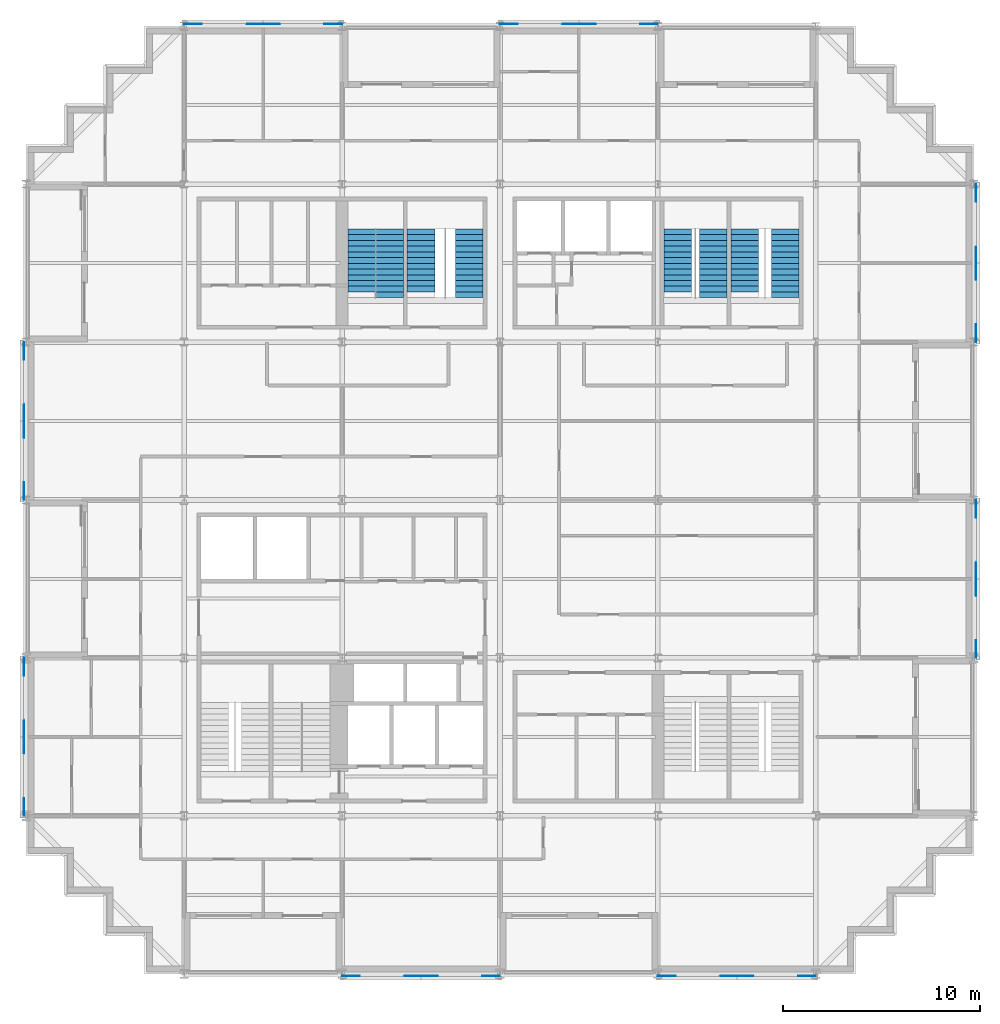
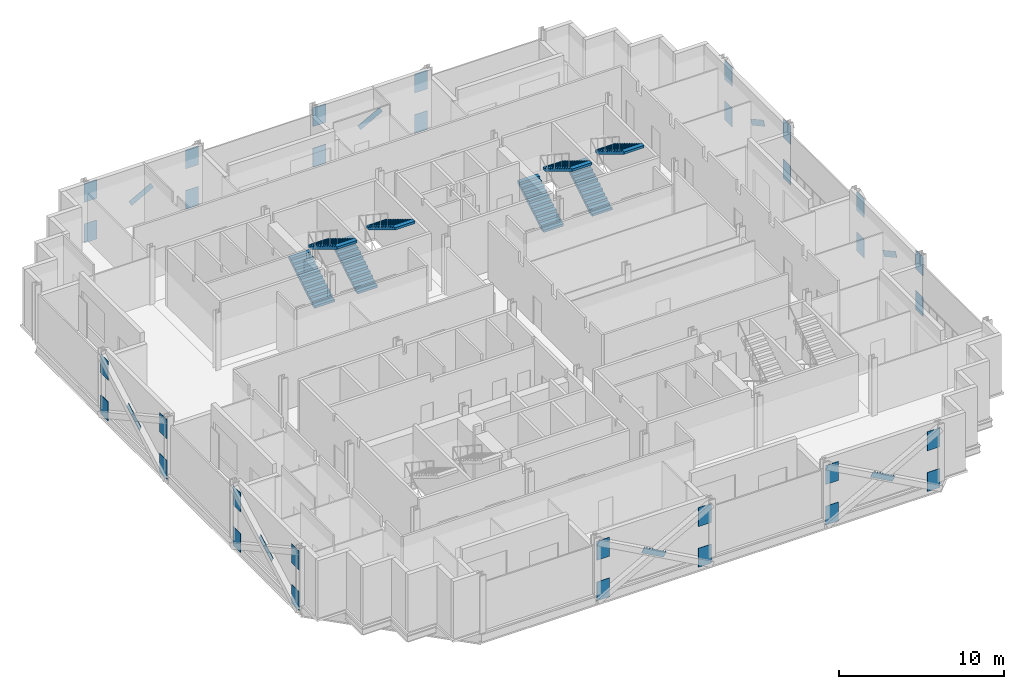
# One storey, part 12 of 14: 40 discrete accessories, 8 stair flights, 4 elements without a shape of their own.
"""IFC4 building model written with IfcOpenShell, lengths in metres."""

from ifc_helpers import new_model, si_unit, direction, frame, origin, origin_2d, place, context, subcontext, project, spatial, polyline, rectangle, outline, extrude, material, material_profile, profile_set, type_object, element, aggregate, save


model = new_model("IFC4")

# Units and contexts
model_context = context("Model", 3, precision=1e-05, world=origin(), true_north=direction((0.0, 1.0)))
body_context = subcontext(model_context, "Body", "Model", "MODEL_VIEW")
ifc_project = project(units=[si_unit("LENGTHUNIT", "METRE"), si_unit("AREAUNIT", "SQUARE_METRE"), si_unit("VOLUMEUNIT", "CUBIC_METRE"), si_unit("PLANEANGLEUNIT", "RADIAN"), si_unit("MASSUNIT", "GRAM", prefix="KILO")], contexts=[model_context])

# Site, building, storey
site_placement = place(None, origin())
site = spatial("IfcSite", under=ifc_project, at=site_placement, CompositionType="ELEMENT")
building_placement = place(site_placement, origin())
building = spatial("IfcBuilding", under=site, at=building_placement, Name="Immortelle Media Tower", CompositionType="ELEMENT")
storey_placement = place(building_placement, frame((0.0, 0.0, 96.39990234375)))
storey = spatial("IfcBuildingStorey", under=building, at=storey_placement, Name="L18", CompositionType="ELEMENT", Elevation=96.39990234375)

# Stair, stair flights
ifc_material_1 = material(Name="Steel ASTM A992 Gr 50", Category="steel")
stair_type = type_object("IfcStairType", Name="Stair with flights", PredefinedType="DOUBLE_RETURN_STAIR", material=ifc_material_1)
stair_1_placement = place(storey_placement, origin())
stair_1 = element("IfcStair", 1, at=stair_1_placement, inside=storey, type_object=stair_type, Name="Exit stair NW1", PredefinedType="DOUBLE_RETURN_STAIR")
stair_flight_type = type_object("IfcStairFlightType", Name="Stair flight 1400", PredefinedType="STRAIGHT", material=ifc_material_1)
stair_flight_1_placement = place(storey_placement, frame((17.0, 34.5400390625, 0.0), z_axis=(0.0, 0.0, 1.0), x_axis=(0.0, 1.0, 0.0)))
stair_flight_1 = element("IfcStairFlight", 2, at=stair_flight_1_placement, type_object=stair_flight_type, Name="ST NW1 flight 1", NumberOfRisers=12, NumberOfTreads=11, PredefinedType="STRAIGHT", RiserHeight=0.176, TreadLength=0.29, context=body_context, shape_type="SweptSolid", body=[
    extrude(outline(polyline([(0.0, 0.0), (0.0, 0.176025390625), (0.2900390625, 0.176025390625), (0.2900390625, 0.35205078125), (0.580078125, 0.35205078125), (0.580078125, 0.528076171875), (0.8701171875, 0.528076171875), (0.8701171875, 0.7041015625), (1.159912109375, 0.7041015625), (1.159912109375, 0.8798828125), (1.449951171875, 0.8798828125), (1.449951171875, 1.055908203125), (1.739990234375, 1.055908203125), (1.739990234375, 1.23193359375), (2.030029296875, 1.23193359375), (2.030029296875, 1.407958984375), (2.320068359375, 1.407958984375), (2.320068359375, 1.583984375), (2.610107421875, 1.583984375), (2.610107421875, 1.760009765625), (2.89990234375, 1.760009765625), (2.89990234375, 1.93603515625), (3.18994140625, 1.93603515625), (3.18994140625, 2.112060546875), (3.18994140625, 1.7607421875), (0.288818359375, 0.0), (0.0, 0.0)])), frame((0.0, 0.699951171875, 0.0), z_axis=(0.0, -1.0, 0.0), x_axis=(1.0, 0.0, 0.0)), (0.0, 0.0, 1.0), 1.39990234375),
])
stair_flight_2_placement = place(storey_placement, frame((18.39990234375, 37.72998046875, 2.112060546875), z_axis=(0.0, 0.0, 1.0), x_axis=(0.0, -1.0, 0.0)))
stair_flight_2 = element("IfcStairFlight", 3, at=stair_flight_2_placement, type_object=stair_flight_type, Name="ST NW1 flight 2", NumberOfRisers=13, NumberOfTreads=12, PredefinedType="STRAIGHT", RiserHeight=0.176, TreadLength=0.29, context=body_context, shape_type="SweptSolid", body=[
    extrude(outline(polyline([(0.0, 0.0), (0.0, 0.176025390625), (0.2900390625, 0.176025390625), (0.2900390625, 0.35205078125), (0.580078125, 0.35205078125), (0.580078125, 0.528076171875), (0.8701171875, 0.528076171875), (0.8701171875, 0.7041015625), (1.159912109375, 0.7041015625), (1.159912109375, 0.8798828125), (1.449951171875, 0.8798828125), (1.449951171875, 1.055908203125), (1.739990234375, 1.055908203125), (1.739990234375, 1.23193359375), (2.030029296875, 1.23193359375), (2.030029296875, 1.407958984375), (2.320068359375, 1.407958984375), (2.320068359375, 1.583984375), (2.610107421875, 1.583984375), (2.610107421875, 1.760009765625), (2.89990234375, 1.760009765625), (2.89990234375, 1.93603515625), (3.18994140625, 1.93603515625), (3.18994140625, 2.112060546875), (3.47998046875, 2.112060546875), (3.47998046875, 2.2880859375), (3.47998046875, 1.936767578125), (0.288818359375, 0.0), (0.0, 0.0)])), frame((0.0, 0.699951171875, 0.0), z_axis=(0.0, -1.0, 0.0), x_axis=(1.0, 0.0, 0.0)), (0.0, 0.0, 1.0), 1.39990234375),
])
aggregate(stair_1, [stair_flight_1, stair_flight_2])

stair_2_placement = place(storey_placement, origin())
stair_2 = element("IfcStair", 4, at=stair_2_placement, inside=storey, type_object=stair_type, Name="Exit stair NW2", PredefinedType="DOUBLE_RETURN_STAIR")
stair_flight_3_placement = place(storey_placement, frame((20.0, 34.5400390625, 0.0), z_axis=(0.0, 0.0, 1.0), x_axis=(0.0, 1.0, 0.0)))
stair_flight_3 = element("IfcStairFlight", 5, at=stair_flight_3_placement, type_object=stair_flight_type, Name="ST NW2 flight 1", NumberOfRisers=12, NumberOfTreads=11, PredefinedType="STRAIGHT", RiserHeight=0.176, TreadLength=0.29, context=body_context, shape_type="SweptSolid", body=[
    extrude(outline(polyline([(0.0, 0.0), (0.0, 0.176025390625), (0.2900390625, 0.176025390625), (0.2900390625, 0.35205078125), (0.580078125, 0.35205078125), (0.580078125, 0.528076171875), (0.8701171875, 0.528076171875), (0.8701171875, 0.7041015625), (1.159912109375, 0.7041015625), (1.159912109375, 0.8798828125), (1.449951171875, 0.8798828125), (1.449951171875, 1.055908203125), (1.739990234375, 1.055908203125), (1.739990234375, 1.23193359375), (2.030029296875, 1.23193359375), (2.030029296875, 1.407958984375), (2.320068359375, 1.407958984375), (2.320068359375, 1.583984375), (2.610107421875, 1.583984375), (2.610107421875, 1.760009765625), (2.89990234375, 1.760009765625), (2.89990234375, 1.93603515625), (3.18994140625, 1.93603515625), (3.18994140625, 2.112060546875), (3.18994140625, 1.7607421875), (0.288818359375, 0.0), (0.0, 0.0)])), frame((0.0, 0.699951171875, 0.0), z_axis=(0.0, -1.0, 0.0), x_axis=(1.0, 0.0, 0.0)), (0.0, 0.0, 1.0), 1.39990234375),
])
stair_flight_4_placement = place(storey_placement, frame((22.449951171875, 37.72998046875, 2.112060546875), z_axis=(0.0, 0.0, 1.0), x_axis=(0.0, -1.0, 0.0)))
stair_flight_4 = element("IfcStairFlight", 6, at=stair_flight_4_placement, type_object=stair_flight_type, Name="ST NW2 flight 2", NumberOfRisers=13, NumberOfTreads=12, PredefinedType="STRAIGHT", RiserHeight=0.176, TreadLength=0.29, context=body_context, shape_type="SweptSolid", body=[
    extrude(outline(polyline([(0.0, 0.0), (0.0, 0.176025390625), (0.2900390625, 0.176025390625), (0.2900390625, 0.35205078125), (0.580078125, 0.35205078125), (0.580078125, 0.528076171875), (0.8701171875, 0.528076171875), (0.8701171875, 0.7041015625), (1.159912109375, 0.7041015625), (1.159912109375, 0.8798828125), (1.449951171875, 0.8798828125), (1.449951171875, 1.055908203125), (1.739990234375, 1.055908203125), (1.739990234375, 1.23193359375), (2.030029296875, 1.23193359375), (2.030029296875, 1.407958984375), (2.320068359375, 1.407958984375), (2.320068359375, 1.583984375), (2.610107421875, 1.583984375), (2.610107421875, 1.760009765625), (2.89990234375, 1.760009765625), (2.89990234375, 1.93603515625), (3.18994140625, 1.93603515625), (3.18994140625, 2.112060546875), (3.47998046875, 2.112060546875), (3.47998046875, 2.2880859375), (3.47998046875, 1.936767578125), (0.288818359375, 0.0), (0.0, 0.0)])), frame((0.0, 0.699951171875, 0.0), z_axis=(0.0, -1.0, 0.0), x_axis=(1.0, 0.0, 0.0)), (0.0, 0.0, 1.0), 1.39990234375),
])
aggregate(stair_2, [stair_flight_3, stair_flight_4])

stair_3_placement = place(storey_placement, origin())
stair_3 = element("IfcStair", 7, at=stair_3_placement, inside=storey, type_object=stair_type, Name="Exit stair NE1", PredefinedType="DOUBLE_RETURN_STAIR")
stair_flight_5_placement = place(storey_placement, frame((33.0, 34.5400390625, 0.0), z_axis=(0.0, 0.0, 1.0), x_axis=(0.0, 1.0, 0.0)))
stair_flight_5 = element("IfcStairFlight", 8, at=stair_flight_5_placement, type_object=stair_flight_type, Name="ST NE1 flight 1", NumberOfRisers=12, NumberOfTreads=11, PredefinedType="STRAIGHT", RiserHeight=0.176, TreadLength=0.29, context=body_context, shape_type="SweptSolid", body=[
    extrude(outline(polyline([(0.0, 0.0), (0.0, 0.176025390625), (0.2900390625, 0.176025390625), (0.2900390625, 0.35205078125), (0.580078125, 0.35205078125), (0.580078125, 0.528076171875), (0.8701171875, 0.528076171875), (0.8701171875, 0.7041015625), (1.159912109375, 0.7041015625), (1.159912109375, 0.8798828125), (1.449951171875, 0.8798828125), (1.449951171875, 1.055908203125), (1.739990234375, 1.055908203125), (1.739990234375, 1.23193359375), (2.030029296875, 1.23193359375), (2.030029296875, 1.407958984375), (2.320068359375, 1.407958984375), (2.320068359375, 1.583984375), (2.610107421875, 1.583984375), (2.610107421875, 1.760009765625), (2.89990234375, 1.760009765625), (2.89990234375, 1.93603515625), (3.18994140625, 1.93603515625), (3.18994140625, 2.112060546875), (3.18994140625, 1.7607421875), (0.288818359375, 0.0), (0.0, 0.0)])), frame((0.0, 0.699951171875, 0.0), z_axis=(0.0, -1.0, 0.0), x_axis=(1.0, 0.0, 0.0)), (0.0, 0.0, 1.0), 1.39990234375),
])
stair_flight_6_placement = place(storey_placement, frame((34.800048828125, 37.72998046875, 2.112060546875), z_axis=(0.0, 0.0, 1.0), x_axis=(0.0, -1.0, 0.0)))
stair_flight_6 = element("IfcStairFlight", 9, at=stair_flight_6_placement, type_object=stair_flight_type, Name="ST NE1 flight 2", NumberOfRisers=13, NumberOfTreads=12, PredefinedType="STRAIGHT", RiserHeight=0.176, TreadLength=0.29, context=body_context, shape_type="SweptSolid", body=[
    extrude(outline(polyline([(0.0, 0.0), (0.0, 0.176025390625), (0.2900390625, 0.176025390625), (0.2900390625, 0.35205078125), (0.580078125, 0.35205078125), (0.580078125, 0.528076171875), (0.8701171875, 0.528076171875), (0.8701171875, 0.7041015625), (1.159912109375, 0.7041015625), (1.159912109375, 0.8798828125), (1.449951171875, 0.8798828125), (1.449951171875, 1.055908203125), (1.739990234375, 1.055908203125), (1.739990234375, 1.23193359375), (2.030029296875, 1.23193359375), (2.030029296875, 1.407958984375), (2.320068359375, 1.407958984375), (2.320068359375, 1.583984375), (2.610107421875, 1.583984375), (2.610107421875, 1.760009765625), (2.89990234375, 1.760009765625), (2.89990234375, 1.93603515625), (3.18994140625, 1.93603515625), (3.18994140625, 2.112060546875), (3.47998046875, 2.112060546875), (3.47998046875, 2.2880859375), (3.47998046875, 1.936767578125), (0.288818359375, 0.0), (0.0, 0.0)])), frame((0.0, 0.699951171875, 0.0), z_axis=(0.0, -1.0, 0.0), x_axis=(1.0, 0.0, 0.0)), (0.0, 0.0, 1.0), 1.39990234375),
])
aggregate(stair_3, [stair_flight_5, stair_flight_6])

stair_4_placement = place(storey_placement, origin())
stair_4 = element("IfcStair", 10, at=stair_4_placement, inside=storey, type_object=stair_type, Name="Exit stair NE2", PredefinedType="DOUBLE_RETURN_STAIR")
stair_flight_7_placement = place(storey_placement, frame((36.39990234375, 34.5400390625, 0.0), z_axis=(0.0, 0.0, 1.0), x_axis=(0.0, 1.0, 0.0)))
stair_flight_7 = element("IfcStairFlight", 11, at=stair_flight_7_placement, type_object=stair_flight_type, Name="ST NE2 flight 1", NumberOfRisers=12, NumberOfTreads=11, PredefinedType="STRAIGHT", RiserHeight=0.176, TreadLength=0.29, context=body_context, shape_type="SweptSolid", body=[
    extrude(outline(polyline([(0.0, 0.0), (0.0, 0.176025390625), (0.2900390625, 0.176025390625), (0.2900390625, 0.35205078125), (0.580078125, 0.35205078125), (0.580078125, 0.528076171875), (0.8701171875, 0.528076171875), (0.8701171875, 0.7041015625), (1.159912109375, 0.7041015625), (1.159912109375, 0.8798828125), (1.449951171875, 0.8798828125), (1.449951171875, 1.055908203125), (1.739990234375, 1.055908203125), (1.739990234375, 1.23193359375), (2.030029296875, 1.23193359375), (2.030029296875, 1.407958984375), (2.320068359375, 1.407958984375), (2.320068359375, 1.583984375), (2.610107421875, 1.583984375), (2.610107421875, 1.760009765625), (2.89990234375, 1.760009765625), (2.89990234375, 1.93603515625), (3.18994140625, 1.93603515625), (3.18994140625, 2.112060546875), (3.18994140625, 1.7607421875), (0.288818359375, 0.0), (0.0, 0.0)])), frame((0.0, 0.699951171875, 0.0), z_axis=(0.0, -1.0, 0.0), x_axis=(1.0, 0.0, 0.0)), (0.0, 0.0, 1.0), 1.39990234375),
])
stair_flight_8_placement = place(storey_placement, frame((38.449951171875, 37.72998046875, 2.112060546875), z_axis=(0.0, 0.0, 1.0), x_axis=(0.0, -1.0, 0.0)))
stair_flight_8 = element("IfcStairFlight", 12, at=stair_flight_8_placement, type_object=stair_flight_type, Name="ST NE2 flight 2", NumberOfRisers=13, NumberOfTreads=12, PredefinedType="STRAIGHT", RiserHeight=0.176, TreadLength=0.29, context=body_context, shape_type="SweptSolid", body=[
    extrude(outline(polyline([(0.0, 0.0), (0.0, 0.176025390625), (0.2900390625, 0.176025390625), (0.2900390625, 0.35205078125), (0.580078125, 0.35205078125), (0.580078125, 0.528076171875), (0.8701171875, 0.528076171875), (0.8701171875, 0.7041015625), (1.159912109375, 0.7041015625), (1.159912109375, 0.8798828125), (1.449951171875, 0.8798828125), (1.449951171875, 1.055908203125), (1.739990234375, 1.055908203125), (1.739990234375, 1.23193359375), (2.030029296875, 1.23193359375), (2.030029296875, 1.407958984375), (2.320068359375, 1.407958984375), (2.320068359375, 1.583984375), (2.610107421875, 1.583984375), (2.610107421875, 1.760009765625), (2.89990234375, 1.760009765625), (2.89990234375, 1.93603515625), (3.18994140625, 1.93603515625), (3.18994140625, 2.112060546875), (3.47998046875, 2.112060546875), (3.47998046875, 2.2880859375), (3.47998046875, 1.936767578125), (0.288818359375, 0.0), (0.0, 0.0)])), frame((0.0, 0.699951171875, 0.0), z_axis=(0.0, -1.0, 0.0), x_axis=(1.0, 0.0, 0.0)), (0.0, 0.0, 1.0), 1.39990234375),
])
aggregate(stair_4, [stair_flight_7, stair_flight_8])

# Discrete accessories
ifc_material_2 = material(Name="Steel ASTM A572 Gr 50", Category="steel")
ifc_material_profile_1 = material_profile(ifc_material_2, rectangle(XDim=0.031982421875, YDim=0.406005859375, at=origin_2d()), Name="PL 32 x 406")
ifc_profile_set_1 = profile_set([ifc_material_profile_1], Name="Steel ASTM A572 Gr 50")
discrete_accessory_type_1 = type_object("IfcDiscreteAccessoryType", Name="Crossing plate XP-BR3 1750 x 406 x 32", PredefinedType="USERDEFINED", material=ifc_profile_set_1)
for number, where, z_axis, x_axis, name in (
    (13, (-0.113037109375, 28.7666015625, 2.125244140625), (0.0, -0.876215908677, -0.481918749772), (1.0, 0.0, 0.0), "Crossing plate XP-BR3 of Brace 1/D-E A and Brace 1/D-E B"),
    (14, (-0.113037109375, 12.7666015625, 2.125244140625), (0.0, -0.876215908677, -0.481918749772), (1.0, 0.0, 0.0), "Crossing plate XP-BR3 of Brace 1/B-C A and Brace 1/B-C B"),
    (15, (48.113037109375, 19.2333984375, 2.125244140625), (0.0, 0.876215908677, -0.481918749772), (-1.0, 0.0, 0.0), "Crossing plate XP-BR3 of Brace 7/C-D A and Brace 7/C-D B"),
    (16, (48.113037109375, 35.2333984375, 2.125244140625), (0.0, 0.876215908677, -0.481918749772), (-1.0, 0.0, 0.0), "Crossing plate XP-BR3 of Brace 7/E-F A and Brace 7/E-F B"),
    (17, (28.7666015625, 48.113037109375, 2.125244140625), (-0.876215908677, 0.0, -0.481918749772), (0.0, -1.0, 0.0), "Crossing plate XP-BR3 of Brace G/4-5 A and Brace G/4-5 B"),
    (18, (12.7666015625, 48.113037109375, 2.125244140625), (-0.876215908677, 0.0, -0.481918749772), (0.0, -1.0, 0.0), "Crossing plate XP-BR3 of Brace G/2-3 A and Brace G/2-3 B"),
    (19, (19.2333984375, -0.113037109375, 2.125244140625), (0.876215908677, 0.0, -0.481918749772), (0.0, 1.0, 0.0), "Crossing plate XP-BR3 of Brace A/3-4 A and Brace A/3-4 B"),
    (20, (35.2333984375, -0.113037109375, 2.125244140625), (0.876215908677, 0.0, -0.481918749772), (0.0, 1.0, 0.0), "Crossing plate XP-BR3 of Brace A/5-6 A and Brace A/5-6 B"),
):
    element("IfcDiscreteAccessory", number, at=place(storey_placement, frame(where, z_axis=z_axis, x_axis=x_axis)), inside=storey, type_object=discrete_accessory_type_1, Name=name, ObjectType="CROSSING PLATE", PredefinedType="USERDEFINED", context=body_context, shape_type="SweptSolid", body=[
        extrude(rectangle(XDim=0.031982421875, YDim=0.406005859375, at=origin_2d()), origin(), (0.0, 0.0, 1.0), 1.749755859375),
    ])
ifc_material_profile_2 = material_profile(ifc_material_2, rectangle(XDim=0.031982421875, YDim=1.39990234375, at=origin_2d()), Name="PL 32 x 1400")
ifc_profile_set_2 = profile_set([ifc_material_profile_2], Name="Steel ASTM A572 Gr 50")
discrete_accessory_type_2 = type_object("IfcDiscreteAccessoryType", Name="Gusset plate GP1 900 x 1400 x 32", PredefinedType="USERDEFINED", material=ifc_profile_set_2)
for number, where, z_axis, x_axis, name in (
    (21, (-0.113037109375, 32.0, 0.20361328125), (0.0, -1.0, 0.0), (1.0, 0.0, 0.0), "Gusset plate GP1, lower end of Brace 1/D-E A"),
    (22, (-0.113037109375, 24.0, 3.20361328125), (0.0, 1.0, 0.0), (-1.0, 0.0, 0.0), "Gusset plate GP1, upper end of Brace 1/D-E A"),
    (23, (-0.113037109375, 24.0, 0.20361328125), (0.0, 1.0, 0.0), (-1.0, 0.0, 0.0), "Gusset plate GP1, lower end of Brace 1/D-E B"),
    (24, (-0.113037109375, 32.0, 3.20361328125), (0.0, -1.0, 0.0), (1.0, 0.0, 0.0), "Gusset plate GP1, upper end of Brace 1/D-E B"),
    (25, (-0.113037109375, 16.0, 0.20361328125), (0.0, -1.0, 0.0), (1.0, 0.0, 0.0), "Gusset plate GP1, lower end of Brace 1/B-C A"),
    (26, (-0.113037109375, 8.0, 3.20361328125), (0.0, 1.0, 0.0), (-1.0, 0.0, 0.0), "Gusset plate GP1, upper end of Brace 1/B-C A"),
    (27, (-0.113037109375, 8.0, 0.20361328125), (0.0, 1.0, 0.0), (-1.0, 0.0, 0.0), "Gusset plate GP1, lower end of Brace 1/B-C B"),
    (28, (-0.113037109375, 16.0, 3.20361328125), (0.0, -1.0, 0.0), (1.0, 0.0, 0.0), "Gusset plate GP1, upper end of Brace 1/B-C B"),
    (29, (16.0, -0.113037109375, 0.20361328125), (1.0, 0.0, 0.0), (0.0, 1.0, 0.0), "Gusset plate GP1, lower end of Brace A/3-4 A"),
    (30, (24.0, -0.113037109375, 3.20361328125), (-1.0, 0.0, 0.0), (0.0, -1.0, 0.0), "Gusset plate GP1, upper end of Brace A/3-4 A"),
    (31, (24.0, -0.113037109375, 0.20361328125), (-1.0, 0.0, 0.0), (0.0, -1.0, 0.0), "Gusset plate GP1, lower end of Brace A/3-4 B"),
    (32, (16.0, -0.113037109375, 3.20361328125), (1.0, 0.0, 0.0), (0.0, 1.0, 0.0), "Gusset plate GP1, upper end of Brace A/3-4 B"),
    (33, (32.0, -0.113037109375, 0.20361328125), (1.0, 0.0, 0.0), (0.0, 1.0, 0.0), "Gusset plate GP1, lower end of Brace A/5-6 A"),
    (34, (40.0, -0.113037109375, 3.20361328125), (-1.0, 0.0, 0.0), (0.0, -1.0, 0.0), "Gusset plate GP1, upper end of Brace A/5-6 A"),
    (35, (40.0, -0.113037109375, 0.20361328125), (-1.0, 0.0, 0.0), (0.0, -1.0, 0.0), "Gusset plate GP1, lower end of Brace A/5-6 B"),
    (36, (32.0, -0.113037109375, 3.20361328125), (1.0, 0.0, 0.0), (0.0, 1.0, 0.0), "Gusset plate GP1, upper end of Brace A/5-6 B"),
    (37, (48.113037109375, 16.0, 0.20361328125), (0.0, 1.0, 0.0), (-1.0, 0.0, 0.0), "Gusset plate GP1, lower end of Brace 7/C-D A"),
    (38, (48.113037109375, 24.0, 3.20361328125), (0.0, -1.0, 0.0), (1.0, 0.0, 0.0), "Gusset plate GP1, upper end of Brace 7/C-D A"),
    (39, (48.113037109375, 24.0, 0.20361328125), (0.0, -1.0, 0.0), (1.0, 0.0, 0.0), "Gusset plate GP1, lower end of Brace 7/C-D B"),
    (40, (48.113037109375, 16.0, 3.20361328125), (0.0, 1.0, 0.0), (-1.0, 0.0, 0.0), "Gusset plate GP1, upper end of Brace 7/C-D B"),
    (41, (48.113037109375, 32.0, 0.20361328125), (0.0, 1.0, 0.0), (-1.0, 0.0, 0.0), "Gusset plate GP1, lower end of Brace 7/E-F A"),
    (42, (48.113037109375, 40.0, 3.20361328125), (0.0, -1.0, 0.0), (1.0, 0.0, 0.0), "Gusset plate GP1, upper end of Brace 7/E-F A"),
    (43, (48.113037109375, 40.0, 0.20361328125), (0.0, -1.0, 0.0), (1.0, 0.0, 0.0), "Gusset plate GP1, lower end of Brace 7/E-F B"),
    (44, (48.113037109375, 32.0, 3.20361328125), (0.0, 1.0, 0.0), (-1.0, 0.0, 0.0), "Gusset plate GP1, upper end of Brace 7/E-F B"),
    (45, (32.0, 48.113037109375, 0.20361328125), (-1.0, 0.0, 0.0), (0.0, -1.0, 0.0), "Gusset plate GP1, lower end of Brace G/4-5 A"),
    (46, (24.0, 48.113037109375, 3.20361328125), (1.0, 0.0, 0.0), (0.0, 1.0, 0.0), "Gusset plate GP1, upper end of Brace G/4-5 A"),
    (47, (24.0, 48.113037109375, 0.20361328125), (1.0, 0.0, 0.0), (0.0, 1.0, 0.0), "Gusset plate GP1, lower end of Brace G/4-5 B"),
    (48, (32.0, 48.113037109375, 3.20361328125), (-1.0, 0.0, 0.0), (0.0, -1.0, 0.0), "Gusset plate GP1, upper end of Brace G/4-5 B"),
    (49, (16.0, 48.113037109375, 0.20361328125), (-1.0, 0.0, 0.0), (0.0, -1.0, 0.0), "Gusset plate GP1, lower end of Brace G/2-3 A"),
    (50, (8.0, 48.113037109375, 3.20361328125), (1.0, 0.0, 0.0), (0.0, 1.0, 0.0), "Gusset plate GP1, upper end of Brace G/2-3 A"),
    (51, (8.0, 48.113037109375, 0.20361328125), (1.0, 0.0, 0.0), (0.0, 1.0, 0.0), "Gusset plate GP1, lower end of Brace G/2-3 B"),
    (52, (16.0, 48.113037109375, 3.20361328125), (-1.0, 0.0, 0.0), (0.0, -1.0, 0.0), "Gusset plate GP1, upper end of Brace G/2-3 B"),
):
    element("IfcDiscreteAccessory", number, at=place(storey_placement, frame(where, z_axis=z_axis, x_axis=x_axis)), inside=storey, type_object=discrete_accessory_type_2, Name=name, ObjectType="GUSSET PLATE", PredefinedType="USERDEFINED", context=body_context, shape_type="SweptSolid", body=[
        extrude(rectangle(XDim=0.031982421875, YDim=1.39990234375, at=origin_2d()), origin(), (0.0, 0.0, 1.0), 0.89990234375),
    ])

save(model, "model.ifc")
